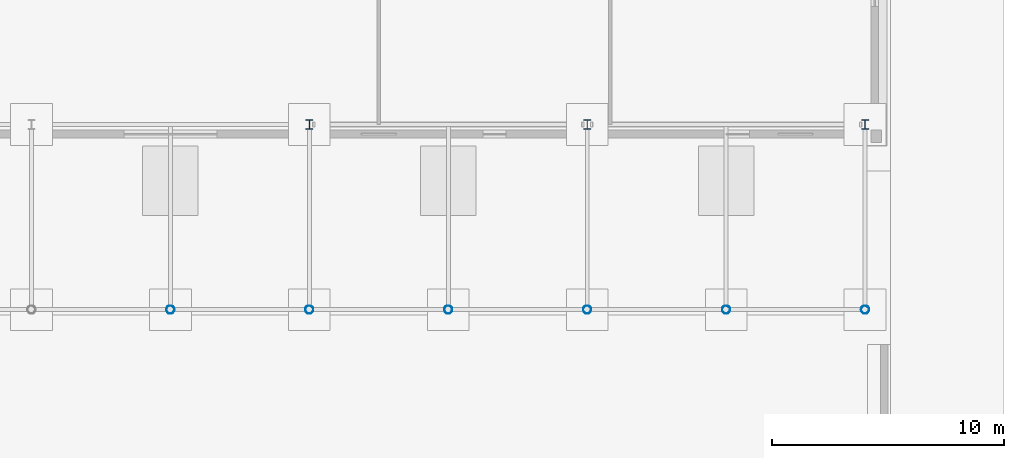
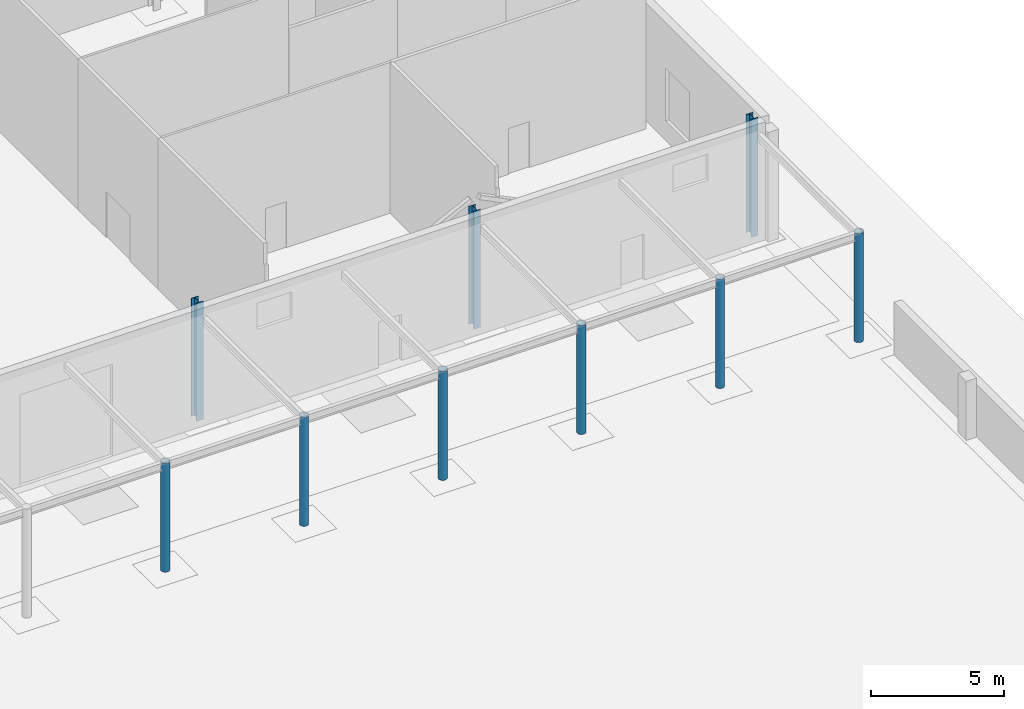
# One storey, part 51 of 132: 9 columns.
"""IFC4 building model written with IfcOpenShell, lengths in metres."""

from ifc_helpers import new_model, si_unit, direction, frame, origin, origin_2d, place, context, subcontext, project, spatial, hollow_circle, i_section, extrude, material, material_profile, profile_set, type_object, element, save


model = new_model("IFC4")

# Units and contexts
model_context = context("Model", 3, precision=1e-05, world=origin(), true_north=direction((0.0, 1.0)))
body_context = subcontext(model_context, "Body", "Model", "MODEL_VIEW")
ifc_project = project(units=[si_unit("LENGTHUNIT", "METRE"), si_unit("AREAUNIT", "SQUARE_METRE"), si_unit("VOLUMEUNIT", "CUBIC_METRE"), si_unit("PLANEANGLEUNIT", "RADIAN"), si_unit("MASSUNIT", "GRAM", prefix="KILO")], contexts=[model_context])

# Site, building, storey
site_placement = place(None, origin())
site = spatial("IfcSite", under=ifc_project, at=site_placement, CompositionType="ELEMENT")
building_placement = place(site_placement, origin())
building = spatial("IfcBuilding", under=site, at=building_placement, Name="Ravi Spectrum Wholesale Market", CompositionType="ELEMENT")
storey_placement = place(building_placement, origin())
storey = spatial("IfcBuildingStorey", under=building, at=storey_placement, Name="L00", CompositionType="ELEMENT", Elevation=0.0)

# Columns
ifc_material_1 = material(Name="Steel S355", Category="steel")
ifc_material_profile_1 = material_profile(ifc_material_1, hollow_circle(Radius=0.177734375, WallThickness=0.012451171875, at=origin_2d()))
ifc_profile_set_1 = profile_set([ifc_material_profile_1], Name="Steel S355")
column_type_1 = type_object("IfcColumnType", Name="CHS 355.6x12.5 column", PredefinedType="COLUMN", material=ifc_profile_set_1)
for number, where, z_axis, x_axis, name in (
    (1, (264.0, 154.0, 0.0), (0.0, 0.0, 1.0), (1.0, 0.0, 0.0), "GS-COL-L00-022"),
    (2, (270.0, 154.0, 0.0), (0.0, 0.0, 1.0), (1.0, 0.0, 0.0), "GS-COL-L00-023"),
    (3, (276.0, 154.0, 0.0), (0.0, 0.0, 1.0), (1.0, 0.0, 0.0), "GS-COL-L00-024"),
    (4, (282.0, 154.0, 0.0), (0.0, 0.0, 1.0), (1.0, 0.0, 0.0), "GS-COL-L00-025"),
    (5, (288.0, 154.0, 0.0), (0.0, 0.0, 1.0), (1.0, 0.0, 0.0), "GS-COL-L00-026"),
    (6, (294.0, 154.0, 0.0), (0.0, 0.0, 1.0), (1.0, 0.0, 0.0), "GS-COL-L00-027"),
):
    element("IfcColumn", number, at=place(storey_placement, frame(where, z_axis=z_axis, x_axis=x_axis)), inside=storey, type_object=column_type_1, Name=name, PredefinedType="COLUMN", context=body_context, shape_type="SweptSolid", body=[
        extrude(hollow_circle(Radius=0.177734375, WallThickness=0.012451171875, at=origin_2d()), origin(), (0.0, 0.0, 1.0), 4.97998046875),
    ])
ifc_material_2 = material(Name="Steel S355", Category="steel")
ifc_material_profile_2 = material_profile(ifc_material_2, i_section(OverallWidth=0.300048828125, OverallDepth=0.39990234375, WebThickness=0.013427734375, FlangeThickness=0.02392578125, at=origin_2d()))
ifc_profile_set_2 = profile_set([ifc_material_profile_2], Name="Steel S355")
column_type_2 = type_object("IfcColumnType", Name="HEB 400 column", PredefinedType="COLUMN", material=ifc_profile_set_2)
for number, where, z_axis, x_axis, name in (
    (7, (270.0, 162.0, 0.0), (0.0, 0.0, 1.0), (1.0, 0.0, 0.0), "GS-COL-L00-009"),
    (8, (282.0, 162.0, 0.0), (0.0, 0.0, 1.0), (1.0, 0.0, 0.0), "GS-COL-L00-011"),
    (9, (294.0, 162.0, 0.0), (0.0, 0.0, 1.0), (1.0, 0.0, 0.0), "GS-COL-L00-013"),
):
    element("IfcColumn", number, at=place(storey_placement, frame(where, z_axis=z_axis, x_axis=x_axis)), inside=storey, type_object=column_type_2, Name=name, PredefinedType="COLUMN", context=body_context, shape_type="SweptSolid", body=[
        extrude(i_section(OverallWidth=0.300048828125, OverallDepth=0.39990234375, WebThickness=0.013427734375, FlangeThickness=0.02392578125, at=origin_2d()), origin(), (0.0, 0.0, 1.0), 5.39990234375),
    ])

save(model, "model.ifc")
